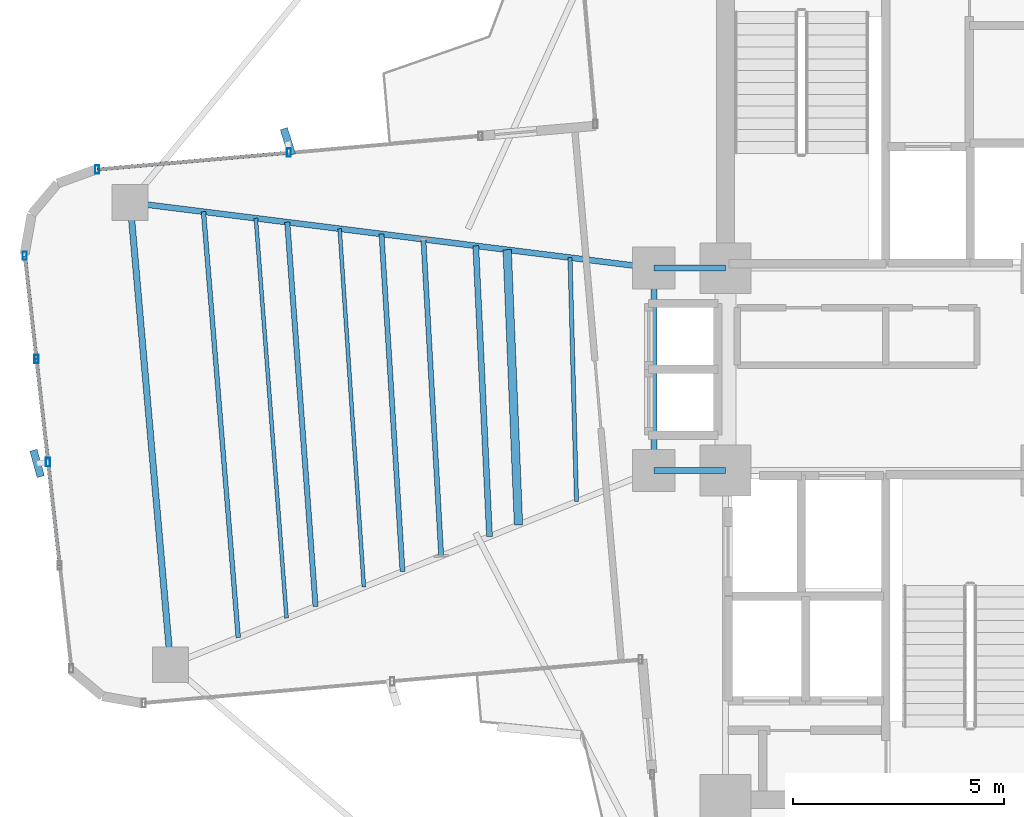
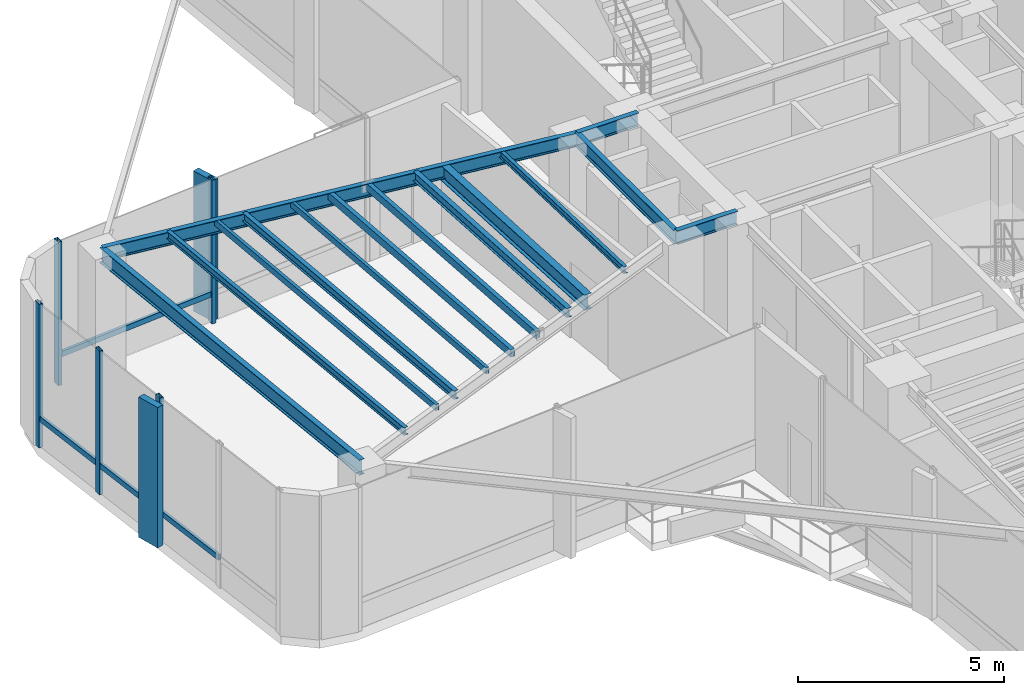
# One storey, part 4 of 19: 14 beams, 11 members, 2 elements without a shape of their own.
"""IFC4 building model written with IfcOpenShell, lengths in metres."""

from ifc_helpers import new_model, si_unit, direction, frame, origin, origin_2d, place, context, subcontext, project, spatial, rectangle, hollow_rectangle, i_section, extrude, source, transform, mapped, material, material_profile, profile_set, type_object, element, aggregate, save


model = new_model("IFC4")

# Units and contexts
model_context = context("Model", 3, precision=1e-05, world=origin(), true_north=direction((0.0, 1.0)))
body_context = subcontext(model_context, "Body", "Model", "MODEL_VIEW")
ifc_project = project(units=[si_unit("LENGTHUNIT", "METRE"), si_unit("AREAUNIT", "SQUARE_METRE"), si_unit("VOLUMEUNIT", "CUBIC_METRE"), si_unit("PLANEANGLEUNIT", "RADIAN"), si_unit("MASSUNIT", "GRAM", prefix="KILO")], contexts=[model_context])

# Site, building, storey
site_placement = place(None, origin())
site = spatial("IfcSite", under=ifc_project, at=site_placement, CompositionType="ELEMENT")
building_placement = place(site_placement, origin())
building = spatial("IfcBuilding", under=site, at=building_placement, Name="Sahyath Konkavel Grand Hotel", CompositionType="ELEMENT")
storey_placement = place(building_placement, frame((0.0, 0.0, 142.75)))
storey = spatial("IfcBuildingStorey", under=building, at=storey_placement, Name="L39", CompositionType="ELEMENT", Elevation=142.75)

# Beams
ifc_material_1 = material(Name="Steel E350", Category="steel")
ifc_material_profile_1 = material_profile(ifc_material_1, i_section(OverallWidth=0.139892578125, OverallDepth=0.39990234375, WebThickness=0.0087890625, FlangeThickness=0.01611328125, FilletRadius=0.013916015625, at=origin_2d()), Name="ISMB 400")
ifc_profile_set_1 = profile_set([ifc_material_profile_1], Name="Steel E350")
beam_type_1 = type_object("IfcBeamType", Name="BM-ISMB400", PredefinedType="BEAM", material=ifc_profile_set_1)
shared_shape_1 = source(origin(), body_context, "Body", "SweptSolid", [
    extrude(i_section(OverallWidth=0.139892578125, OverallDepth=0.39990234375, WebThickness=0.0087890625, FlangeThickness=0.01611328125, FilletRadius=0.013916015625, at=origin_2d()), origin(), (0.0, 0.0, 1.0), 1.699951171875),
])
for number, where, z_axis, x_axis, name in (
    (1, (-5.5, 2.39990234375, 4.06005859375), (1.0, 0.0, 0.0), (0.0, 1.0, 0.0), "str:bm:L39:HB-NW"),
    (2, (-5.5, -2.39990234375, 4.06005859375), (1.0, 0.0, 0.0), (0.0, 1.0, 0.0), "str:bm:L39:HB-SW"),
):
    element("IfcBeam", number, at=place(storey_placement, frame(where, z_axis=z_axis, x_axis=x_axis)), inside=storey, type_object=beam_type_1, Name=name, PredefinedType="BEAM", context=body_context, shape_type="MappedRepresentation", body=[
        mapped(shared_shape_1, transform((0.0, 0.0, 0.0), scale=1.0)),
    ])
shared_shape_2 = source(origin(), body_context, "Body", "SweptSolid", [
    extrude(i_section(OverallWidth=0.139892578125, OverallDepth=0.39990234375, WebThickness=0.0087890625, FlangeThickness=0.01611328125, FilletRadius=0.013916015625, at=origin_2d()), origin(), (0.0, 0.0, 1.0), 4.7998046875),
])
beam_1_placement = place(storey_placement, frame((-5.5, -2.39990234375, 4.06005859375), z_axis=(0.0, 1.0, 0.0), x_axis=(-1.0, 0.0, 0.0)))
element("IfcBeam", 3, at=beam_1_placement, inside=storey, type_object=beam_type_1, Name="str:bm:L39:HB-W", PredefinedType="BEAM", context=body_context, shape_type="MappedRepresentation", body=[
    mapped(shared_shape_2, transform((0.0, 0.0, 0.0), scale=1.0)),
])
shared_shape_3 = source(origin(), body_context, "Body", "SweptSolid", [
    extrude(i_section(OverallWidth=0.139892578125, OverallDepth=0.39990234375, WebThickness=0.0087890625, FlangeThickness=0.01611328125, FilletRadius=0.013916015625, at=origin_2d()), origin(), (0.0, 0.0, 1.0), 12.509765625),
])
beam_2_placement = place(storey_placement, frame((-5.5, 2.39990234375, 4.06005859375), z_axis=(-0.992254740459, 0.124219684578, 0.0), x_axis=(-0.124219684578, -0.992254740459, 0.0)))
element("IfcBeam", 4, at=beam_2_placement, inside=storey, type_object=beam_type_1, Name="L39 Cruciform Radial Girder WA", PredefinedType="BEAM", context=body_context, shape_type="MappedRepresentation", body=[
    mapped(shared_shape_3, transform((0.0, 0.0, 0.0), scale=1.0)),
])
ifc_material_profile_2 = material_profile(ifc_material_1, i_section(OverallWidth=0.14990234375, OverallDepth=0.449951171875, WebThickness=0.009521484375, FlangeThickness=0.017333984375, FilletRadius=0.014892578125, at=origin_2d()), Name="ISMB 450")
ifc_profile_set_2 = profile_set([ifc_material_profile_2], Name="Steel E350")
beam_type_2 = type_object("IfcBeamType", Name="BM-ISMB450", PredefinedType="BEAM", material=ifc_profile_set_2)
shared_shape_4 = source(origin(), body_context, "Body", "SweptSolid", [
    extrude(i_section(OverallWidth=0.14990234375, OverallDepth=0.449951171875, WebThickness=0.009521484375, FlangeThickness=0.017333984375, FilletRadius=0.014892578125, at=origin_2d()), origin(), (0.0, 0.0, 1.0), 11.0),
])
beam_3_placement = place(storey_placement, frame((-17.912841796875, 3.953857421875, 4.034912109375), z_axis=(0.087157314015, -0.996194560622, 0.0), x_axis=(0.996194560622, 0.087157314015, 0.0)))
element("IfcBeam", 5, at=beam_3_placement, inside=storey, type_object=beam_type_2, Name="L39 Wing Tip Edge Beam W", PredefinedType="BEAM", context=body_context, shape_type="MappedRepresentation", body=[
    mapped(shared_shape_4, transform((0.0, 0.0, 0.0), scale=1.0)),
])
ifc_material_profile_3 = material_profile(ifc_material_1, i_section(OverallWidth=0.199951171875, OverallDepth=0.449951171875, WebThickness=0.00927734375, FlangeThickness=0.015380859375, FilletRadius=0.01611328125, at=origin_2d()), Name="ISWB 450")
ifc_profile_set_3 = profile_set([ifc_material_profile_3], Name="Steel E350")
beam_type_3 = type_object("IfcBeamType", Name="BM-ISWB450", PredefinedType="BEAM", material=ifc_profile_set_3)
shared_shape_5 = source(origin(), body_context, "Body", "SweptSolid", [
    extrude(i_section(OverallWidth=0.199951171875, OverallDepth=0.449951171875, WebThickness=0.00927734375, FlangeThickness=0.015380859375, FilletRadius=0.01611328125, at=origin_2d()), origin(), (0.0, 0.0, 1.0), 6.530029296875),
])
beam_4_placement = place(storey_placement, frame((-8.9755859375, 2.835205078125, 4.034912109375), z_axis=(0.04112667768, -0.999153940283, 0.0), x_axis=(0.999153940283, 0.04112667768, 0.0)))
element("IfcBeam", 6, at=beam_4_placement, inside=storey, type_object=beam_type_3, Name="L39 Secondary Floor Beam W-1", PredefinedType="BEAM", context=body_context, shape_type="MappedRepresentation", body=[
    mapped(shared_shape_5, transform((0.0, 0.0, 0.0), scale=1.0)),
])
ifc_material_profile_4 = material_profile(ifc_material_1, hollow_rectangle(XDim=0.1201171875, YDim=0.219970703125, WallThickness=0.010009765625, at=origin_2d()), Name="RHS 220x120x10")
ifc_profile_set_4 = profile_set([ifc_material_profile_4], Name="Steel E350")
beam_type_4 = type_object("IfcBeamType", Name="BM-RHS220", PredefinedType="BEAM", material=ifc_profile_set_4)
shared_shape_6 = source(origin(), body_context, "Body", "SweptSolid", [
    extrude(hollow_rectangle(XDim=0.1201171875, YDim=0.219970703125, WallThickness=0.010009765625, at=origin_2d()), origin(), (0.0, 0.0, 1.0), 8.017822265625),
])
beam_5_placement = place(storey_placement, frame((-11.95458984375, 3.2080078125, 4.14990234375), z_axis=(0.062179233264, -0.998064999362, 0.0), x_axis=(0.998064999362, 0.062179233264, 0.0)))
element("IfcBeam", 7, at=beam_5_placement, inside=storey, type_object=beam_type_4, Name="L39 Secondary Floor Beam W-2", PredefinedType="BEAM", context=body_context, shape_type="MappedRepresentation", body=[
    mapped(shared_shape_6, transform((0.0, 0.0, 0.0), scale=1.0)),
])
ifc_material_profile_5 = material_profile(ifc_material_1, hollow_rectangle(XDim=0.090087890625, YDim=0.179931640625, WallThickness=0.008056640625, at=origin_2d()), Name="RHS 180x90x8")
ifc_profile_set_5 = profile_set([ifc_material_profile_5], Name="Steel E350")
beam_type_5 = type_object("IfcBeamType", Name="BM-RHS180", PredefinedType="BEAM", material=ifc_profile_set_5)
shared_shape_7 = source(origin(), body_context, "Body", "SweptSolid", [
    extrude(hollow_rectangle(XDim=0.090087890625, YDim=0.179931640625, WallThickness=0.008056640625, at=origin_2d()), origin(), (0.0, 0.0, 1.0), 9.508056640625),
])
beam_6_placement = place(storey_placement, frame((-14.93359375, 3.580810546875, 4.169921875), z_axis=(0.076619921029, -0.997060373148, 0.0), x_axis=(0.997060373148, 0.076619921029, 0.0)))
element("IfcBeam", 8, at=beam_6_placement, inside=storey, type_object=beam_type_5, Name="L39 Secondary Floor Beam W-3", PredefinedType="BEAM", context=body_context, shape_type="MappedRepresentation", body=[
    mapped(shared_shape_7, transform((0.0, 0.0, 0.0), scale=1.0)),
])
ifc_material_profile_6 = material_profile(ifc_material_1, i_section(OverallWidth=0.10009765625, OverallDepth=0.199951171875, WebThickness=0.005615234375, FlangeThickness=0.0107421875, FilletRadius=0.010986328125, at=origin_2d()), Name="ISMB 200")
ifc_profile_set_6 = profile_set([ifc_material_profile_6], Name="Steel E350")
beam_type_6 = type_object("IfcBeamType", Name="BM-ISMB200", PredefinedType="BEAM", material=ifc_profile_set_6)
shared_shape_8 = source(origin(), body_context, "Body", "SweptSolid", [
    extrude(i_section(OverallWidth=0.10009765625, OverallDepth=0.199951171875, WebThickness=0.005615234375, FlangeThickness=0.0107421875, FilletRadius=0.010986328125, at=origin_2d()), origin(), (0.0, 0.0, 1.0), 5.787353515625),
])
beam_7_placement = place(storey_placement, frame((-7.486083984375, 2.648681640625, 4.159912109375), z_axis=(0.026491943658, -0.99964902687, 0.0), x_axis=(0.99964902687, 0.026491943658, 0.0)))
element("IfcBeam", 9, at=beam_7_placement, inside=storey, type_object=beam_type_6, Name="L39 Composite Deck Sub-Beam W-1", PredefinedType="BEAM", context=body_context, shape_type="MappedRepresentation", body=[
    mapped(shared_shape_8, transform((0.0, 0.0, 0.0), scale=1.0)),
])
ifc_material_profile_7 = material_profile(ifc_material_1, i_section(OverallWidth=0.139892578125, OverallDepth=0.27490234375, WebThickness=0.00634765625, FlangeThickness=0.0087890625, FilletRadius=0.012939453125, at=origin_2d()), Name="ISLB 275")
ifc_profile_set_7 = profile_set([ifc_material_profile_7], Name="Steel E350")
beam_type_7 = type_object("IfcBeamType", Name="BM-ISLB275", PredefinedType="BEAM", material=ifc_profile_set_7)
shared_shape_9 = source(origin(), body_context, "Body", "SweptSolid", [
    extrude(i_section(OverallWidth=0.139892578125, OverallDepth=0.27490234375, WebThickness=0.00634765625, FlangeThickness=0.0087890625, FilletRadius=0.012939453125, at=origin_2d()), origin(), (0.0, 0.0, 1.0), 6.901611328125),
])
beam_8_placement = place(storey_placement, frame((-9.720458984375, 2.92822265625, 4.12255859375), z_axis=(0.047260938611, -0.998882577524, 0.0), x_axis=(0.998882577524, 0.047260938611, 0.0)))
element("IfcBeam", 10, at=beam_8_placement, inside=storey, type_object=beam_type_7, Name="L39 Composite Deck Sub-Beam W-2", PredefinedType="BEAM", context=body_context, shape_type="MappedRepresentation", body=[
    mapped(shared_shape_9, transform((0.0, 0.0, 0.0), scale=1.0)),
])
shared_shape_10 = source(origin(), body_context, "Body", "SweptSolid", [
    extrude(hollow_rectangle(XDim=0.1201171875, YDim=0.219970703125, WallThickness=0.010009765625, at=origin_2d()), origin(), (0.0, 0.0, 1.0), 7.521484375),
])
beam_9_placement = place(storey_placement, frame((-10.961669921875, 3.083740234375, 4.14990234375), z_axis=(0.056090237508, -0.998425703423, 0.0), x_axis=(0.998425703423, 0.056090237508, 0.0)))
element("IfcBeam", 11, at=beam_9_placement, inside=storey, type_object=beam_type_4, Name="L39 Composite Deck Sub-Beam W-3", PredefinedType="BEAM", context=body_context, shape_type="MappedRepresentation", body=[
    mapped(shared_shape_10, transform((0.0, 0.0, 0.0), scale=1.0)),
])
shared_shape_11 = source(origin(), body_context, "Body", "SweptSolid", [
    extrude(hollow_rectangle(XDim=0.090087890625, YDim=0.179931640625, WallThickness=0.008056640625, at=origin_2d()), origin(), (0.0, 0.0, 1.0), 8.514404296875),
])
beam_10_placement = place(storey_placement, frame((-12.94775390625, 3.332275390625, 4.169921875), z_axis=(0.067556190537, -0.997715471024, 0.0), x_axis=(0.997715471024, 0.067556190537, 0.0)))
element("IfcBeam", 12, at=beam_10_placement, inside=storey, type_object=beam_type_5, Name="L39 Composite Deck Sub-Beam W-4", PredefinedType="BEAM", context=body_context, shape_type="MappedRepresentation", body=[
    mapped(shared_shape_11, transform((0.0, 0.0, 0.0), scale=1.0)),
])
ifc_material_profile_8 = material_profile(ifc_material_1, i_section(OverallWidth=0.125, OverallDepth=0.25, WebThickness=0.0068359375, FlangeThickness=0.012451171875, FilletRadius=0.012939453125, at=origin_2d()), Name="ISMB 250")
ifc_profile_set_8 = profile_set([ifc_material_profile_8], Name="Steel E350")
beam_type_8 = type_object("IfcBeamType", Name="BM-ISMB250", PredefinedType="BEAM", material=ifc_profile_set_8)
shared_shape_12 = source(origin(), body_context, "Body", "SweptSolid", [
    extrude(i_section(OverallWidth=0.125, OverallDepth=0.25, WebThickness=0.0068359375, FlangeThickness=0.012451171875, FilletRadius=0.012939453125, at=origin_2d()), origin(), (0.0, 0.0, 1.0), 9.135498046875),
])
beam_11_placement = place(storey_placement, frame((-14.18896484375, 3.48779296875, 4.135009765625), z_axis=(0.073465127158, -0.997297786567, 0.0), x_axis=(0.997297786567, 0.073465127158, 0.0)))
element("IfcBeam", 13, at=beam_11_placement, inside=storey, type_object=beam_type_8, Name="L39 Composite Deck Sub-Beam W-5", PredefinedType="BEAM", context=body_context, shape_type="MappedRepresentation", body=[
    mapped(shared_shape_12, transform((0.0, 0.0, 0.0), scale=1.0)),
])
ifc_material_profile_9 = material_profile(ifc_material_1, i_section(OverallWidth=0.110107421875, OverallDepth=0.22509765625, WebThickness=0.006591796875, FlangeThickness=0.01171875, FilletRadius=0.011962890625, at=origin_2d()), Name="ISMB 225")
ifc_profile_set_9 = profile_set([ifc_material_profile_9], Name="Steel E350")
beam_type_9 = type_object("IfcBeamType", Name="BM-ISMB225", PredefinedType="BEAM", material=ifc_profile_set_9)
shared_shape_13 = source(origin(), body_context, "Body", "SweptSolid", [
    extrude(i_section(OverallWidth=0.110107421875, OverallDepth=0.22509765625, WebThickness=0.006591796875, FlangeThickness=0.01171875, FilletRadius=0.011962890625, at=origin_2d()), origin(), (0.0, 0.0, 1.0), 10.129638671875),
])
beam_12_placement = place(storey_placement, frame((-16.175048828125, 3.736328125, 4.1474609375), z_axis=(0.081391815092, -0.996682182261, 0.0), x_axis=(0.996682182261, 0.081391815092, 0.0)))
element("IfcBeam", 14, at=beam_12_placement, inside=storey, type_object=beam_type_9, Name="L39 Composite Deck Sub-Beam W-6", PredefinedType="BEAM", context=body_context, shape_type="MappedRepresentation", body=[
    mapped(shared_shape_13, transform((0.0, 0.0, 0.0), scale=1.0)),
])

# Curtain wall, members
ifc_material_2 = material(Name="Anodised Bronze Aluminium & Low-E Glazing", Category="aluminium")
curtain_wall_type = type_object("IfcCurtainWallType", Name="CW-SKYLOBBY", PredefinedType="NOTDEFINED", material=ifc_material_2)
curtain_wall_1_placement = place(storey_placement, origin())
curtain_wall_1 = element("IfcCurtainWall", 15, at=curtain_wall_1_placement, inside=storey, type_object=curtain_wall_type, Name="L39 Unitised Curtain Wall F16", PredefinedType="NOTDEFINED")
ifc_material_3 = material(Name="Anodised Bronze Aluminium", Category="aluminium")
ifc_material_profile_10 = material_profile(ifc_material_3, hollow_rectangle(XDim=0.10009765625, YDim=0.199951171875, WallThickness=0.008056640625, at=origin_2d()), Name="RHS 200x100x8")
ifc_profile_set_10 = profile_set([ifc_material_profile_10], Name="Anodised Bronze Aluminium")
member_type_1 = type_object("IfcMemberType", Name="CW-MUL-200", PredefinedType="MULLION", material=ifc_profile_set_10)
shared_shape_14 = source(origin(), body_context, "Body", "SweptSolid", [
    extrude(hollow_rectangle(XDim=0.10009765625, YDim=0.199951171875, WallThickness=0.008056640625, at=origin_2d()), origin(), (0.0, 0.0, 1.0), 4.260009765625),
])
member_1_placement = place(storey_placement, frame((-14.151611328125, 5.135986328125, 0.0), z_axis=(0.0, 0.0, 1.0), x_axis=(1.0, 0.0, 0.0)))
member_1 = element("IfcMember", 16, at=member_1_placement, type_object=member_type_1, Name="L39 Curtain Wall Mullion F16-1", PredefinedType="MULLION", context=body_context, shape_type="MappedRepresentation", body=[
    mapped(shared_shape_14, transform((0.0, 0.0, 0.0), scale=1.0)),
])
member_2_placement = place(storey_placement, frame((-18.694091796875, 4.73876953125, 0.0), z_axis=(0.0, 0.0, 1.0), x_axis=(1.0, 0.0, 0.0)))
member_2 = element("IfcMember", 17, at=member_2_placement, type_object=member_type_1, Name="L39 Curtain Wall Mullion F16-2", PredefinedType="MULLION", context=body_context, shape_type="MappedRepresentation", body=[
    mapped(shared_shape_14, transform((0.0, 0.0, 0.0), scale=1.0)),
])

curtain_wall_2_placement = place(storey_placement, origin())
curtain_wall_2 = element("IfcCurtainWall", 18, at=curtain_wall_2_placement, inside=storey, type_object=curtain_wall_type, Name="L39 Unitised Curtain Wall F20", PredefinedType="NOTDEFINED")
member_3_placement = place(storey_placement, frame((-20.4111328125, 2.69140625, 0.0), z_axis=(0.0, 0.0, 1.0), x_axis=(1.0, 0.0, 0.0)))
member_3 = element("IfcMember", 19, at=member_3_placement, type_object=member_type_1, Name="L39 Curtain Wall Mullion F20-0", PredefinedType="MULLION", context=body_context, shape_type="MappedRepresentation", body=[
    mapped(shared_shape_14, transform((0.0, 0.0, 0.0), scale=1.0)),
])
member_4_placement = place(storey_placement, frame((-20.135498046875, 0.24462890625, 0.0), z_axis=(0.0, 0.0, 1.0), x_axis=(1.0, 0.0, 0.0)))
member_4 = element("IfcMember", 20, at=member_4_placement, type_object=member_type_1, Name="L39 Curtain Wall Mullion F20-1", PredefinedType="MULLION", context=body_context, shape_type="MappedRepresentation", body=[
    mapped(shared_shape_14, transform((0.0, 0.0, 0.0), scale=1.0)),
])
member_5_placement = place(storey_placement, frame((-19.859619140625, -2.201904296875, 0.0), z_axis=(0.0, 0.0, 1.0), x_axis=(1.0, 0.0, 0.0)))
member_5 = element("IfcMember", 21, at=member_5_placement, type_object=member_type_1, Name="L39 Curtain Wall Mullion F20-2", PredefinedType="MULLION", context=body_context, shape_type="MappedRepresentation", body=[
    mapped(shared_shape_14, transform((0.0, 0.0, 0.0), scale=1.0)),
])

# Member
ifc_material_4 = material(Name="Warm Buff Sandstone Cladding on Concrete C50/60", Category="masonry")
ifc_material_profile_11 = material_profile(ifc_material_4, rectangle(XDim=0.179931640625, YDim=0.64990234375, at=origin_2d()), Name="FIN 180x650")
ifc_profile_set_11 = profile_set([ifc_material_profile_11], Name="Warm Buff Sandstone Cladding on Concrete C50/60")
member_type_2 = type_object("IfcMemberType", Name="FIN-SANDSTONE-650", PredefinedType="MULLION", material=ifc_profile_set_11)
shared_shape_15 = source(origin(), body_context, "Body", "SweptSolid", [
    extrude(rectangle(XDim=0.179931640625, YDim=0.64990234375, at=origin_2d()), origin(), (0.0, 0.0, 1.0), 4.159912109375),
])
member_6_placement = place(storey_placement, frame((-14.17431640625, 5.39501953125, 0.050048828125), z_axis=(0.0, 0.0, 1.0), x_axis=(0.954083620326, 0.299540390309, 0.0)))
member_6 = element("IfcMember", 22, at=member_6_placement, type_object=member_type_2, Name="L39 Sandstone Vertical Solar Fin FIN F16-1", PredefinedType="MULLION", context=body_context, shape_type="MappedRepresentation", body=[
    mapped(shared_shape_15, transform((0.0, 0.0, 0.0), scale=1.0)),
])

member_7_placement = place(storey_placement, frame((-20.1181640625, -2.23095703125, 0.050048828125), z_axis=(0.0, 0.0, 1.0), x_axis=(0.963677080427, 0.267070186767, 0.0)))
member_7 = element("IfcMember", 23, at=member_7_placement, type_object=member_type_2, Name="L39 Sandstone Vertical Solar Fin FIN F20-2", PredefinedType="MULLION", context=body_context, shape_type="MappedRepresentation", body=[
    mapped(shared_shape_15, transform((0.0, 0.0, 0.0), scale=1.0)),
])

ifc_material_profile_12 = material_profile(ifc_material_3, hollow_rectangle(XDim=0.080078125, YDim=0.159912109375, WallThickness=0.006103515625, at=origin_2d()), Name="RHS 160x80x6")
ifc_profile_set_12 = profile_set([ifc_material_profile_12], Name="Anodised Bronze Aluminium")
member_type_3 = type_object("IfcMemberType", Name="CW-TRN-160", PredefinedType="USERDEFINED", material=ifc_profile_set_12)
shared_shape_16 = source(origin(), body_context, "Body", "SweptSolid", [
    extrude(hollow_rectangle(XDim=0.080078125, YDim=0.159912109375, WallThickness=0.006103515625, at=origin_2d()), origin(), (0.0, 0.0, 1.0), 4.559814453125),
])
member_8_placement = place(storey_placement, frame((-14.151611328125, 5.135986328125, 0.85009765625), z_axis=(-0.99619848155, -0.087112486804, 0.0), x_axis=(0.087112486804, -0.99619848155, 0.0)))
member_8 = element("IfcMember", 24, at=member_8_placement, type_object=member_type_3, Name="L39 Curtain Wall Transom F16-1-spandrel", ObjectType="TRANSOM", PredefinedType="USERDEFINED", context=body_context, shape_type="MappedRepresentation", body=[
    mapped(shared_shape_16, transform((0.0, 0.0, 0.0), scale=1.0)),
])

aggregate(curtain_wall_1, [member_1, member_6, member_2, member_8])

shared_shape_17 = source(origin(), body_context, "Body", "SweptSolid", [
    extrude(hollow_rectangle(XDim=0.080078125, YDim=0.159912109375, WallThickness=0.006103515625, at=origin_2d()), origin(), (0.0, 0.0, 1.0), 2.462158203125),
])
member_9_placement = place(storey_placement, frame((-20.4111328125, 2.69140625, 0.85009765625), z_axis=(0.11194409079, -0.993714506555, 0.0), x_axis=(0.993714506555, 0.11194409079, 0.0)))
member_9 = element("IfcMember", 25, at=member_9_placement, type_object=member_type_3, Name="L39 Curtain Wall Transom F20-0-spandrel", ObjectType="TRANSOM", PredefinedType="USERDEFINED", context=body_context, shape_type="MappedRepresentation", body=[
    mapped(shared_shape_17, transform((0.0, 0.0, 0.0), scale=1.0)),
])

member_10_placement = place(storey_placement, frame((-20.135498046875, 0.24462890625, 0.85009765625), z_axis=(0.112053040279, -0.99370222711, 0.0), x_axis=(0.99370222711, 0.112053040279, 0.0)))
member_10 = element("IfcMember", 26, at=member_10_placement, type_object=member_type_3, Name="L39 Curtain Wall Transom F20-1-spandrel", ObjectType="TRANSOM", PredefinedType="USERDEFINED", context=body_context, shape_type="MappedRepresentation", body=[
    mapped(shared_shape_17, transform((0.0, 0.0, 0.0), scale=1.0)),
])

shared_shape_18 = source(origin(), body_context, "Body", "SweptSolid", [
    extrude(hollow_rectangle(XDim=0.080078125, YDim=0.159912109375, WallThickness=0.006103515625, at=origin_2d()), origin(), (0.0, 0.0, 1.0), 2.461669921875),
])
member_11_placement = place(storey_placement, frame((-19.859619140625, -2.201904296875, 0.85009765625), z_axis=(0.111966154832, -0.993712020744, 0.0), x_axis=(0.993712020744, 0.111966154832, 0.0)))
member_11 = element("IfcMember", 27, at=member_11_placement, type_object=member_type_3, Name="L39 Curtain Wall Transom F20-2-spandrel", ObjectType="TRANSOM", PredefinedType="USERDEFINED", context=body_context, shape_type="MappedRepresentation", body=[
    mapped(shared_shape_18, transform((0.0, 0.0, 0.0), scale=1.0)),
])

aggregate(curtain_wall_2, [member_3, member_4, member_5, member_7, member_9, member_10, member_11])

save(model, "model.ifc")
